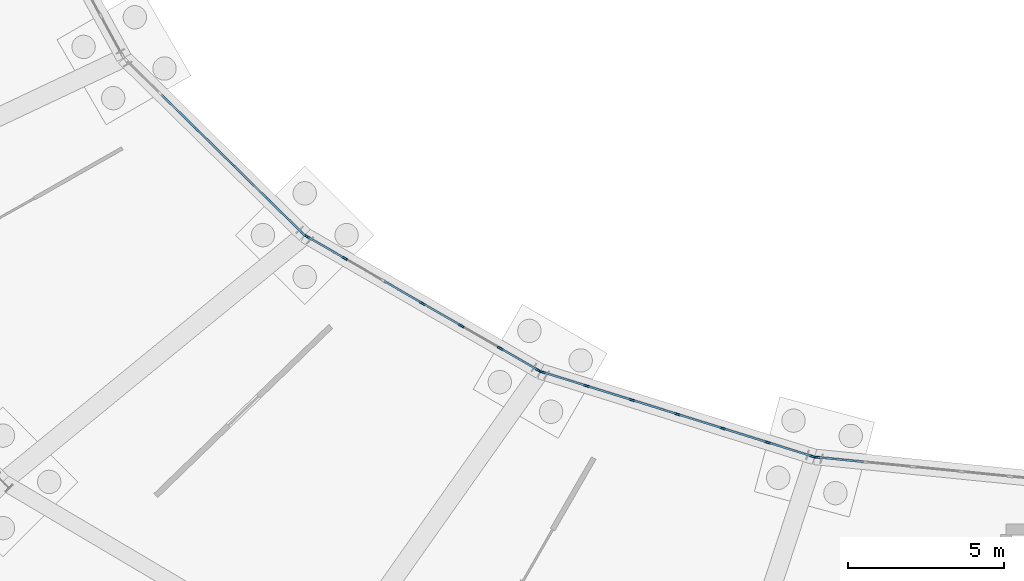
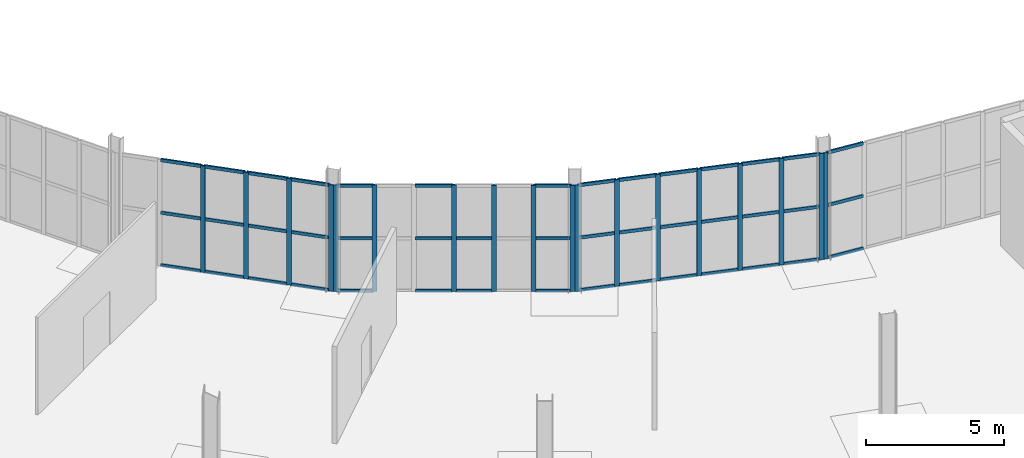
# One storey, part 56 of 118: 62 members, 4 elements without a shape of their own.
"""IFC4 building model written with IfcOpenShell, lengths in metres."""

from ifc_helpers import new_model, si_unit, direction, frame, origin, origin_2d, place, context, subcontext, project, spatial, rectangle, extrude, material, material_profile, profile_set, type_object, element, aggregate, save


model = new_model("IFC4")

# Units and contexts
model_context = context("Model", 3, precision=1e-05, world=origin(), true_north=direction((0.0, 1.0)))
body_context = subcontext(model_context, "Body", "Model", "MODEL_VIEW")
ifc_project = project(units=[si_unit("LENGTHUNIT", "METRE"), si_unit("AREAUNIT", "SQUARE_METRE"), si_unit("VOLUMEUNIT", "CUBIC_METRE"), si_unit("PLANEANGLEUNIT", "RADIAN"), si_unit("MASSUNIT", "GRAM", prefix="KILO")], contexts=[model_context])

# Site, building, storey
site_placement = place(None, origin())
site = spatial("IfcSite", under=ifc_project, at=site_placement, CompositionType="ELEMENT")
building_placement = place(site_placement, origin())
building = spatial("IfcBuilding", under=site, at=building_placement, Name="Kildeholm Park Wholesale Market", CompositionType="ELEMENT")
storey_placement = place(building_placement, origin())
storey = spatial("IfcBuildingStorey", under=building, at=storey_placement, Name="L00", CompositionType="ELEMENT", Elevation=0.0)

# Curtain wall, members
ifc_material_1 = material(Name="Anodised aluminium and low-E double-glazed glass", Category="aluminium")
curtain_wall_type = type_object("IfcCurtainWallType", Name="Market hall glazed arcade stick curtain wall CW-01", PredefinedType="NOTDEFINED", material=ifc_material_1)
curtain_wall_1_placement = place(storey_placement, origin())
curtain_wall_1 = element("IfcCurtainWall", 1, at=curtain_wall_1_placement, inside=storey, type_object=curtain_wall_type, Name="Curtain wall CW-V1-IN0-14 CW-0071", PredefinedType="NOTDEFINED")
ifc_material_2 = material(Name="Anodised aluminium", Category="aluminium")
ifc_material_profile_1 = material_profile(ifc_material_2, rectangle(XDim=0.06494140625, YDim=0.179931640625, at=origin_2d()), Name="CWM 65x180")
ifc_profile_set_1 = profile_set([ifc_material_profile_1], Name="Anodised aluminium")
member_type_1 = type_object("IfcMemberType", Name="Curtain-wall mullion CWM-1 CWM 65x180", PredefinedType="MULLION", material=ifc_profile_set_1)
member_1_placement = place(storey_placement, frame((69.711181640625, 73.46337890625, 0.0), z_axis=(0.0, 0.0, 1.0), x_axis=(0.700616534607, 0.713537995789, 0.0)))
member_1 = element("IfcMember", 2, at=member_1_placement, type_object=member_type_1, Name="CW-01 mullion 3 MEM-2314", PredefinedType="MULLION", context=body_context, shape_type="SweptSolid", body=[
    extrude(rectangle(XDim=0.06494140625, YDim=0.179931640625, at=origin_2d()), origin(), (0.0, 0.0, 1.0), 4.699951171875),
])
member_2_placement = place(storey_placement, frame((70.85986328125, 72.335693359375, 0.0), z_axis=(0.0, 0.0, 1.0), x_axis=(0.700616534607, 0.713537995789, 0.0)))
member_2 = element("IfcMember", 3, at=member_2_placement, type_object=member_type_1, Name="CW-01 mullion 4 MEM-2315", PredefinedType="MULLION", context=body_context, shape_type="SweptSolid", body=[
    extrude(rectangle(XDim=0.06494140625, YDim=0.179931640625, at=origin_2d()), origin(), (0.0, 0.0, 1.0), 4.699951171875),
])
member_3_placement = place(storey_placement, frame((72.00830078125, 71.207763671875, 0.0), z_axis=(0.0, 0.0, 1.0), x_axis=(0.700616534607, 0.713537995789, 0.0)))
member_3 = element("IfcMember", 4, at=member_3_placement, type_object=member_type_1, Name="CW-01 mullion 5 MEM-2316", PredefinedType="MULLION", context=body_context, shape_type="SweptSolid", body=[
    extrude(rectangle(XDim=0.06494140625, YDim=0.179931640625, at=origin_2d()), origin(), (0.0, 0.0, 1.0), 4.699951171875),
])
member_4_placement = place(storey_placement, frame((73.1337890625, 70.102783203125, 0.0), z_axis=(0.0, 0.0, 1.0), x_axis=(0.700616534607, 0.713537995789, 0.0)))
member_4 = element("IfcMember", 5, at=member_4_placement, type_object=member_type_1, Name="CW-01 mullion 6 MEM-2317", PredefinedType="MULLION", context=body_context, shape_type="SweptSolid", body=[
    extrude(rectangle(XDim=0.06494140625, YDim=0.179931640625, at=origin_2d()), origin(), (0.0, 0.0, 1.0), 4.699951171875),
])

curtain_wall_2_placement = place(storey_placement, origin())
curtain_wall_2 = element("IfcCurtainWall", 6, at=curtain_wall_2_placement, inside=storey, type_object=curtain_wall_type, Name="Curtain wall CW-V1-IN0-15 CW-0076", PredefinedType="NOTDEFINED")
member_5_placement = place(storey_placement, frame((73.250244140625, 70.0146484375, 0.0), z_axis=(0.0, 0.0, 1.0), x_axis=(0.500489412982, 0.865742656621, 0.0)))
member_5 = element("IfcMember", 7, at=member_5_placement, type_object=member_type_1, Name="CW-01 mullion 1 MEM-2445", PredefinedType="MULLION", context=body_context, shape_type="SweptSolid", body=[
    extrude(rectangle(XDim=0.06494140625, YDim=0.179931640625, at=origin_2d()), origin(), (0.0, 0.0, 1.0), 4.699951171875),
])
member_6_placement = place(storey_placement, frame((74.47021484375, 69.309326171875, 0.0), z_axis=(0.0, 0.0, 1.0), x_axis=(0.500489412982, 0.865742656621, 0.0)))
member_6 = element("IfcMember", 8, at=member_6_placement, type_object=member_type_1, Name="CW-01 mullion 2 MEM-2446", PredefinedType="MULLION", context=body_context, shape_type="SweptSolid", body=[
    extrude(rectangle(XDim=0.06494140625, YDim=0.179931640625, at=origin_2d()), origin(), (0.0, 0.0, 1.0), 4.699951171875),
])
member_7_placement = place(storey_placement, frame((76.967041015625, 67.865966796875, 0.0), z_axis=(0.0, 0.0, 1.0), x_axis=(0.500489412982, 0.865742656621, 0.0)))
member_7 = element("IfcMember", 9, at=member_7_placement, type_object=member_type_1, Name="CW-01 mullion 4 MEM-2448", PredefinedType="MULLION", context=body_context, shape_type="SweptSolid", body=[
    extrude(rectangle(XDim=0.06494140625, YDim=0.179931640625, at=origin_2d()), origin(), (0.0, 0.0, 1.0), 4.699951171875),
])
member_8_placement = place(storey_placement, frame((78.21533203125, 67.144287109375, 0.0), z_axis=(0.0, 0.0, 1.0), x_axis=(0.500489412982, 0.865742656621, 0.0)))
member_8 = element("IfcMember", 10, at=member_8_placement, type_object=member_type_1, Name="CW-01 mullion 5 MEM-2449", PredefinedType="MULLION", context=body_context, shape_type="SweptSolid", body=[
    extrude(rectangle(XDim=0.06494140625, YDim=0.179931640625, at=origin_2d()), origin(), (0.0, 0.0, 1.0), 4.699951171875),
])
member_9_placement = place(storey_placement, frame((79.463623046875, 66.422607421875, 0.0), z_axis=(0.0, 0.0, 1.0), x_axis=(0.500489412982, 0.865742656621, 0.0)))
member_9 = element("IfcMember", 11, at=member_9_placement, type_object=member_type_1, Name="CW-01 mullion 6 MEM-2450", PredefinedType="MULLION", context=body_context, shape_type="SweptSolid", body=[
    extrude(rectangle(XDim=0.06494140625, YDim=0.179931640625, at=origin_2d()), origin(), (0.0, 0.0, 1.0), 4.699951171875),
])
member_10_placement = place(storey_placement, frame((80.683837890625, 65.71728515625, 0.0), z_axis=(0.0, 0.0, 1.0), x_axis=(0.500489412982, 0.865742656621, 0.0)))
member_10 = element("IfcMember", 12, at=member_10_placement, type_object=member_type_1, Name="CW-01 mullion 7 MEM-2451", PredefinedType="MULLION", context=body_context, shape_type="SweptSolid", body=[
    extrude(rectangle(XDim=0.06494140625, YDim=0.179931640625, at=origin_2d()), origin(), (0.0, 0.0, 1.0), 4.699951171875),
])

curtain_wall_3_placement = place(storey_placement, origin())
curtain_wall_3 = element("IfcCurtainWall", 13, at=curtain_wall_3_placement, inside=storey, type_object=curtain_wall_type, Name="Curtain wall CW-V1-IN0-16 CW-0081", PredefinedType="NOTDEFINED")
member_11_placement = place(storey_placement, frame((80.817138671875, 65.659423828125, 0.0), z_axis=(0.0, 0.0, 1.0), x_axis=(0.297957339818, 0.954579186683, 0.0)))
member_11 = element("IfcMember", 14, at=member_11_placement, type_object=member_type_1, Name="CW-01 mullion 1 MEM-2594", PredefinedType="MULLION", context=body_context, shape_type="SweptSolid", body=[
    extrude(rectangle(XDim=0.06494140625, YDim=0.179931640625, at=origin_2d()), origin(), (0.0, 0.0, 1.0), 4.699951171875),
])
member_12_placement = place(storey_placement, frame((82.240478515625, 65.215087890625, 0.0), z_axis=(0.0, 0.0, 1.0), x_axis=(0.297957339818, 0.954579186683, 0.0)))
member_12 = element("IfcMember", 15, at=member_12_placement, type_object=member_type_1, Name="CW-01 mullion 2 MEM-2595", PredefinedType="MULLION", context=body_context, shape_type="SweptSolid", body=[
    extrude(rectangle(XDim=0.06494140625, YDim=0.179931640625, at=origin_2d()), origin(), (0.0, 0.0, 1.0), 4.699951171875),
])
member_13_placement = place(storey_placement, frame((83.695068359375, 64.760986328125, 0.0), z_axis=(0.0, 0.0, 1.0), x_axis=(0.297957339818, 0.954579186683, 0.0)))
member_13 = element("IfcMember", 16, at=member_13_placement, type_object=member_type_1, Name="CW-01 mullion 3 MEM-2596", PredefinedType="MULLION", context=body_context, shape_type="SweptSolid", body=[
    extrude(rectangle(XDim=0.06494140625, YDim=0.179931640625, at=origin_2d()), origin(), (0.0, 0.0, 1.0), 4.699951171875),
])
member_14_placement = place(storey_placement, frame((85.1494140625, 64.306884765625, 0.0), z_axis=(0.0, 0.0, 1.0), x_axis=(0.297957339818, 0.954579186683, 0.0)))
member_14 = element("IfcMember", 17, at=member_14_placement, type_object=member_type_1, Name="CW-01 mullion 4 MEM-2597", PredefinedType="MULLION", context=body_context, shape_type="SweptSolid", body=[
    extrude(rectangle(XDim=0.06494140625, YDim=0.179931640625, at=origin_2d()), origin(), (0.0, 0.0, 1.0), 4.699951171875),
])
member_15_placement = place(storey_placement, frame((86.60400390625, 63.85302734375, 0.0), z_axis=(0.0, 0.0, 1.0), x_axis=(0.297957339818, 0.954579186683, 0.0)))
member_15 = element("IfcMember", 18, at=member_15_placement, type_object=member_type_1, Name="CW-01 mullion 5 MEM-2598", PredefinedType="MULLION", context=body_context, shape_type="SweptSolid", body=[
    extrude(rectangle(XDim=0.06494140625, YDim=0.179931640625, at=origin_2d()), origin(), (0.0, 0.0, 1.0), 4.699951171875),
])
member_16_placement = place(storey_placement, frame((88.05859375, 63.39892578125, 0.0), z_axis=(0.0, 0.0, 1.0), x_axis=(0.297957339818, 0.954579186683, 0.0)))
member_16 = element("IfcMember", 19, at=member_16_placement, type_object=member_type_1, Name="CW-01 mullion 6 MEM-2599", PredefinedType="MULLION", context=body_context, shape_type="SweptSolid", body=[
    extrude(rectangle(XDim=0.06494140625, YDim=0.179931640625, at=origin_2d()), origin(), (0.0, 0.0, 1.0), 4.699951171875),
])
member_17_placement = place(storey_placement, frame((89.48193359375, 62.95458984375, 0.0), z_axis=(0.0, 0.0, 1.0), x_axis=(0.297957339818, 0.954579186683, 0.0)))
member_17 = element("IfcMember", 20, at=member_17_placement, type_object=member_type_1, Name="CW-01 mullion 7 MEM-2600", PredefinedType="MULLION", context=body_context, shape_type="SweptSolid", body=[
    extrude(rectangle(XDim=0.06494140625, YDim=0.179931640625, at=origin_2d()), origin(), (0.0, 0.0, 1.0), 4.699951171875),
])

# Curtain wall, member
curtain_wall_4_placement = place(storey_placement, origin())
curtain_wall_4 = element("IfcCurtainWall", 21, at=curtain_wall_4_placement, inside=storey, type_object=curtain_wall_type, Name="Curtain wall CW-V1-IN0-17 CW-0086", PredefinedType="NOTDEFINED")
member_18_placement = place(storey_placement, frame((89.624267578125, 62.92578125, 0.0), z_axis=(0.0, 0.0, 1.0), x_axis=(0.098683331174, 0.995118887444, 0.0)))
member_18 = element("IfcMember", 22, at=member_18_placement, type_object=member_type_1, Name="CW-01 mullion 1 MEM-2747", PredefinedType="MULLION", context=body_context, shape_type="SweptSolid", body=[
    extrude(rectangle(XDim=0.06494140625, YDim=0.179931640625, at=origin_2d()), origin(), (0.0, 0.0, 1.0), 4.699951171875),
])

# Member
ifc_material_profile_2 = material_profile(ifc_material_2, rectangle(XDim=0.06494140625, YDim=0.139892578125, at=origin_2d()), Name="CWT 65x140")
ifc_profile_set_2 = profile_set([ifc_material_profile_2], Name="Anodised aluminium")
member_type_2 = type_object("IfcMemberType", Name="Curtain-wall transom CWT-1 CWT 65x140", PredefinedType="USERDEFINED", material=ifc_profile_set_2)
member_19_placement = place(storey_placement, frame((68.585693359375, 74.568359375, 0.032470703125), z_axis=(0.713556787842, -0.70059739546, 0.0), x_axis=(0.70059739546, 0.713556787842, 0.0)))
member_19 = element("IfcMember", 23, at=member_19_placement, type_object=member_type_2, Name="CW-01 transom 2.1 MEM-2321", ObjectType="TRANSOM", PredefinedType="USERDEFINED", context=body_context, shape_type="SweptSolid", body=[
    extrude(rectangle(XDim=0.06494140625, YDim=0.139892578125, at=origin_2d()), origin(), (0.0, 0.0, 1.0), 1.544677734375),
])

member_20_placement = place(storey_placement, frame((68.585693359375, 74.568359375, 2.35009765625), z_axis=(0.713556787842, -0.70059739546, 0.0), x_axis=(0.70059739546, 0.713556787842, 0.0)))
member_20 = element("IfcMember", 24, at=member_20_placement, type_object=member_type_2, Name="CW-01 transom 2.2 MEM-2322", ObjectType="TRANSOM", PredefinedType="USERDEFINED", context=body_context, shape_type="SweptSolid", body=[
    extrude(rectangle(XDim=0.06494140625, YDim=0.139892578125, at=origin_2d()), origin(), (0.0, 0.0, 1.0), 1.544677734375),
])

member_21_placement = place(storey_placement, frame((68.585693359375, 74.568359375, 4.66748046875), z_axis=(0.713556787842, -0.70059739546, 0.0), x_axis=(0.70059739546, 0.713556787842, 0.0)))
member_21 = element("IfcMember", 25, at=member_21_placement, type_object=member_type_2, Name="CW-01 transom 2.3 MEM-2323", ObjectType="TRANSOM", PredefinedType="USERDEFINED", context=body_context, shape_type="SweptSolid", body=[
    extrude(rectangle(XDim=0.06494140625, YDim=0.139892578125, at=origin_2d()), origin(), (0.0, 0.0, 1.0), 1.544677734375),
])

member_22_placement = place(storey_placement, frame((69.734375, 73.440673828125, 0.032470703125), z_axis=(0.713556787842, -0.70059739546, 0.0), x_axis=(0.70059739546, 0.713556787842, 0.0)))
member_22 = element("IfcMember", 26, at=member_22_placement, type_object=member_type_2, Name="CW-01 transom 3.1 MEM-2324", ObjectType="TRANSOM", PredefinedType="USERDEFINED", context=body_context, shape_type="SweptSolid", body=[
    extrude(rectangle(XDim=0.06494140625, YDim=0.139892578125, at=origin_2d()), origin(), (0.0, 0.0, 1.0), 1.544677734375),
])

member_23_placement = place(storey_placement, frame((69.734375, 73.440673828125, 2.35009765625), z_axis=(0.713556787842, -0.70059739546, 0.0), x_axis=(0.70059739546, 0.713556787842, 0.0)))
member_23 = element("IfcMember", 27, at=member_23_placement, type_object=member_type_2, Name="CW-01 transom 3.2 MEM-2325", ObjectType="TRANSOM", PredefinedType="USERDEFINED", context=body_context, shape_type="SweptSolid", body=[
    extrude(rectangle(XDim=0.06494140625, YDim=0.139892578125, at=origin_2d()), origin(), (0.0, 0.0, 1.0), 1.544677734375),
])

member_24_placement = place(storey_placement, frame((69.734375, 73.440673828125, 4.66748046875), z_axis=(0.713556787842, -0.70059739546, 0.0), x_axis=(0.70059739546, 0.713556787842, 0.0)))
member_24 = element("IfcMember", 28, at=member_24_placement, type_object=member_type_2, Name="CW-01 transom 3.3 MEM-2326", ObjectType="TRANSOM", PredefinedType="USERDEFINED", context=body_context, shape_type="SweptSolid", body=[
    extrude(rectangle(XDim=0.06494140625, YDim=0.139892578125, at=origin_2d()), origin(), (0.0, 0.0, 1.0), 1.544677734375),
])

member_25_placement = place(storey_placement, frame((70.883056640625, 72.312744140625, 0.032470703125), z_axis=(0.713479202212, -0.700676407489, 0.0), x_axis=(0.700676407489, 0.713479202212, 0.0)))
member_25 = element("IfcMember", 29, at=member_25_placement, type_object=member_type_2, Name="CW-01 transom 4.1 MEM-2327", ObjectType="TRANSOM", PredefinedType="USERDEFINED", context=body_context, shape_type="SweptSolid", body=[
    extrude(rectangle(XDim=0.06494140625, YDim=0.139892578125, at=origin_2d()), origin(), (0.0, 0.0, 1.0), 1.544677734375),
])

member_26_placement = place(storey_placement, frame((70.883056640625, 72.312744140625, 2.35009765625), z_axis=(0.713479202212, -0.700676407489, 0.0), x_axis=(0.700676407489, 0.713479202212, 0.0)))
member_26 = element("IfcMember", 30, at=member_26_placement, type_object=member_type_2, Name="CW-01 transom 4.2 MEM-2328", ObjectType="TRANSOM", PredefinedType="USERDEFINED", context=body_context, shape_type="SweptSolid", body=[
    extrude(rectangle(XDim=0.06494140625, YDim=0.139892578125, at=origin_2d()), origin(), (0.0, 0.0, 1.0), 1.544677734375),
])

member_27_placement = place(storey_placement, frame((70.883056640625, 72.312744140625, 4.66748046875), z_axis=(0.713479202212, -0.700676407489, 0.0), x_axis=(0.700676407489, 0.713479202212, 0.0)))
member_27 = element("IfcMember", 31, at=member_27_placement, type_object=member_type_2, Name="CW-01 transom 4.3 MEM-2329", ObjectType="TRANSOM", PredefinedType="USERDEFINED", context=body_context, shape_type="SweptSolid", body=[
    extrude(rectangle(XDim=0.06494140625, YDim=0.139892578125, at=origin_2d()), origin(), (0.0, 0.0, 1.0), 1.544677734375),
])

member_28_placement = place(storey_placement, frame((72.031494140625, 71.18505859375, 0.032470703125), z_axis=(0.713534623197, -0.700619969384, 0.0), x_axis=(0.700619969384, 0.713534623197, 0.0)))
member_28 = element("IfcMember", 32, at=member_28_placement, type_object=member_type_2, Name="CW-01 transom 5.1 MEM-2330", ObjectType="TRANSOM", PredefinedType="USERDEFINED", context=body_context, shape_type="SweptSolid", body=[
    extrude(rectangle(XDim=0.06494140625, YDim=0.139892578125, at=origin_2d()), origin(), (0.0, 0.0, 1.0), 1.512451171875),
])

member_29_placement = place(storey_placement, frame((72.031494140625, 71.18505859375, 2.35009765625), z_axis=(0.713534623197, -0.700619969384, 0.0), x_axis=(0.700619969384, 0.713534623197, 0.0)))
member_29 = element("IfcMember", 33, at=member_29_placement, type_object=member_type_2, Name="CW-01 transom 5.2 MEM-2331", ObjectType="TRANSOM", PredefinedType="USERDEFINED", context=body_context, shape_type="SweptSolid", body=[
    extrude(rectangle(XDim=0.06494140625, YDim=0.139892578125, at=origin_2d()), origin(), (0.0, 0.0, 1.0), 1.512451171875),
])

member_30_placement = place(storey_placement, frame((72.031494140625, 71.18505859375, 4.66748046875), z_axis=(0.713534623197, -0.700619969384, 0.0), x_axis=(0.700619969384, 0.713534623197, 0.0)))
member_30 = element("IfcMember", 34, at=member_30_placement, type_object=member_type_2, Name="CW-01 transom 5.3 MEM-2332", ObjectType="TRANSOM", PredefinedType="USERDEFINED", context=body_context, shape_type="SweptSolid", body=[
    extrude(rectangle(XDim=0.06494140625, YDim=0.139892578125, at=origin_2d()), origin(), (0.0, 0.0, 1.0), 1.512451171875),
])

aggregate(curtain_wall_1, [member_1, member_2, member_3, member_4, member_19, member_20, member_21, member_22, member_23, member_24, member_25, member_26, member_27, member_28, member_29, member_30])

member_31_placement = place(storey_placement, frame((73.2783203125, 69.99853515625, 0.032470703125), z_axis=(0.86572868327, -0.500513583195, 0.0), x_axis=(0.500513583195, 0.86572868327, 0.0)))
member_31 = element("IfcMember", 35, at=member_31_placement, type_object=member_type_2, Name="CW-01 transom 1.1 MEM-2452", ObjectType="TRANSOM", PredefinedType="USERDEFINED", context=body_context, shape_type="SweptSolid", body=[
    extrude(rectangle(XDim=0.06494140625, YDim=0.139892578125, at=origin_2d()), origin(), (0.0, 0.0, 1.0), 1.34423828125),
])

member_32_placement = place(storey_placement, frame((73.2783203125, 69.99853515625, 2.35009765625), z_axis=(0.86572868327, -0.500513583195, 0.0), x_axis=(0.500513583195, 0.86572868327, 0.0)))
member_32 = element("IfcMember", 36, at=member_32_placement, type_object=member_type_2, Name="CW-01 transom 1.2 MEM-2453", ObjectType="TRANSOM", PredefinedType="USERDEFINED", context=body_context, shape_type="SweptSolid", body=[
    extrude(rectangle(XDim=0.06494140625, YDim=0.139892578125, at=origin_2d()), origin(), (0.0, 0.0, 1.0), 1.34423828125),
])

member_33_placement = place(storey_placement, frame((73.2783203125, 69.99853515625, 4.66748046875), z_axis=(0.86572868327, -0.500513583195, 0.0), x_axis=(0.500513583195, 0.86572868327, 0.0)))
member_33 = element("IfcMember", 37, at=member_33_placement, type_object=member_type_2, Name="CW-01 transom 1.3 MEM-2454", ObjectType="TRANSOM", PredefinedType="USERDEFINED", context=body_context, shape_type="SweptSolid", body=[
    extrude(rectangle(XDim=0.06494140625, YDim=0.139892578125, at=origin_2d()), origin(), (0.0, 0.0, 1.0), 1.34423828125),
])

member_34_placement = place(storey_placement, frame((75.746826171875, 68.5712890625, 0.032470703125), z_axis=(0.865810450204, -0.50037212584, 0.0), x_axis=(0.50037212584, 0.865810450204, 0.0)))
member_34 = element("IfcMember", 38, at=member_34_placement, type_object=member_type_2, Name="CW-01 transom 3.1 MEM-2458", ObjectType="TRANSOM", PredefinedType="USERDEFINED", context=body_context, shape_type="SweptSolid", body=[
    extrude(rectangle(XDim=0.06494140625, YDim=0.139892578125, at=origin_2d()), origin(), (0.0, 0.0, 1.0), 1.376953125),
])

member_35_placement = place(storey_placement, frame((75.746826171875, 68.5712890625, 2.35009765625), z_axis=(0.865810450204, -0.50037212584, 0.0), x_axis=(0.50037212584, 0.865810450204, 0.0)))
member_35 = element("IfcMember", 39, at=member_35_placement, type_object=member_type_2, Name="CW-01 transom 3.2 MEM-2459", ObjectType="TRANSOM", PredefinedType="USERDEFINED", context=body_context, shape_type="SweptSolid", body=[
    extrude(rectangle(XDim=0.06494140625, YDim=0.139892578125, at=origin_2d()), origin(), (0.0, 0.0, 1.0), 1.376953125),
])

member_36_placement = place(storey_placement, frame((75.746826171875, 68.5712890625, 4.66748046875), z_axis=(0.865810450204, -0.50037212584, 0.0), x_axis=(0.50037212584, 0.865810450204, 0.0)))
member_36 = element("IfcMember", 40, at=member_36_placement, type_object=member_type_2, Name="CW-01 transom 3.3 MEM-2460", ObjectType="TRANSOM", PredefinedType="USERDEFINED", context=body_context, shape_type="SweptSolid", body=[
    extrude(rectangle(XDim=0.06494140625, YDim=0.139892578125, at=origin_2d()), origin(), (0.0, 0.0, 1.0), 1.376953125),
])

member_37_placement = place(storey_placement, frame((76.9951171875, 67.849853515625, 0.032470703125), z_axis=(0.865733630758, -0.500505025523, 0.0), x_axis=(0.500505025523, 0.865733630758, 0.0)))
member_37 = element("IfcMember", 41, at=member_37_placement, type_object=member_type_2, Name="CW-01 transom 4.1 MEM-2461", ObjectType="TRANSOM", PredefinedType="USERDEFINED", context=body_context, shape_type="SweptSolid", body=[
    extrude(rectangle(XDim=0.06494140625, YDim=0.139892578125, at=origin_2d()), origin(), (0.0, 0.0, 1.0), 1.376953125),
])

member_38_placement = place(storey_placement, frame((76.9951171875, 67.849853515625, 2.35009765625), z_axis=(0.865733630758, -0.500505025523, 0.0), x_axis=(0.500505025523, 0.865733630758, 0.0)))
member_38 = element("IfcMember", 42, at=member_38_placement, type_object=member_type_2, Name="CW-01 transom 4.2 MEM-2462", ObjectType="TRANSOM", PredefinedType="USERDEFINED", context=body_context, shape_type="SweptSolid", body=[
    extrude(rectangle(XDim=0.06494140625, YDim=0.139892578125, at=origin_2d()), origin(), (0.0, 0.0, 1.0), 1.376953125),
])

member_39_placement = place(storey_placement, frame((79.49169921875, 66.406494140625, 0.032470703125), z_axis=(0.865774168037, -0.50043490082, 0.0), x_axis=(0.50043490082, 0.865774168037, 0.0)))
member_39 = element("IfcMember", 43, at=member_39_placement, type_object=member_type_2, Name="CW-01 transom 6.1 MEM-2467", ObjectType="TRANSOM", PredefinedType="USERDEFINED", context=body_context, shape_type="SweptSolid", body=[
    extrude(rectangle(XDim=0.06494140625, YDim=0.139892578125, at=origin_2d()), origin(), (0.0, 0.0, 1.0), 1.344482421875),
])

member_40_placement = place(storey_placement, frame((79.49169921875, 66.406494140625, 2.35009765625), z_axis=(0.865774168037, -0.50043490082, 0.0), x_axis=(0.50043490082, 0.865774168037, 0.0)))
member_40 = element("IfcMember", 44, at=member_40_placement, type_object=member_type_2, Name="CW-01 transom 6.2 MEM-2468", ObjectType="TRANSOM", PredefinedType="USERDEFINED", context=body_context, shape_type="SweptSolid", body=[
    extrude(rectangle(XDim=0.06494140625, YDim=0.139892578125, at=origin_2d()), origin(), (0.0, 0.0, 1.0), 1.344482421875),
])

member_41_placement = place(storey_placement, frame((79.49169921875, 66.406494140625, 4.66748046875), z_axis=(0.865774168037, -0.50043490082, 0.0), x_axis=(0.50043490082, 0.865774168037, 0.0)))
member_41 = element("IfcMember", 45, at=member_41_placement, type_object=member_type_2, Name="CW-01 transom 6.3 MEM-2469", ObjectType="TRANSOM", PredefinedType="USERDEFINED", context=body_context, shape_type="SweptSolid", body=[
    extrude(rectangle(XDim=0.06494140625, YDim=0.139892578125, at=origin_2d()), origin(), (0.0, 0.0, 1.0), 1.344482421875),
])

aggregate(curtain_wall_2, [member_5, member_6, member_7, member_8, member_9, member_10, member_31, member_32, member_33, member_34, member_35, member_36, member_37, member_38, member_39, member_40, member_41])

member_42_placement = place(storey_placement, frame((80.84814453125, 65.649658203125, 0.032470703125), z_axis=(0.954553055234, -0.298041045402, 0.0), x_axis=(0.298041045402, 0.954553055234, 0.0)))
member_42 = element("IfcMember", 46, at=member_42_placement, type_object=member_type_2, Name="CW-01 transom 1.1 MEM-2601", ObjectType="TRANSOM", PredefinedType="USERDEFINED", context=body_context, shape_type="SweptSolid", body=[
    extrude(rectangle(XDim=0.06494140625, YDim=0.139892578125, at=origin_2d()), origin(), (0.0, 0.0, 1.0), 1.426025390625),
])

member_43_placement = place(storey_placement, frame((80.84814453125, 65.649658203125, 2.35009765625), z_axis=(0.954553055234, -0.298041045402, 0.0), x_axis=(0.298041045402, 0.954553055234, 0.0)))
member_43 = element("IfcMember", 47, at=member_43_placement, type_object=member_type_2, Name="CW-01 transom 1.2 MEM-2602", ObjectType="TRANSOM", PredefinedType="USERDEFINED", context=body_context, shape_type="SweptSolid", body=[
    extrude(rectangle(XDim=0.06494140625, YDim=0.139892578125, at=origin_2d()), origin(), (0.0, 0.0, 1.0), 1.426025390625),
])

member_44_placement = place(storey_placement, frame((80.84814453125, 65.649658203125, 4.66748046875), z_axis=(0.954553055234, -0.298041045402, 0.0), x_axis=(0.298041045402, 0.954553055234, 0.0)))
member_44 = element("IfcMember", 48, at=member_44_placement, type_object=member_type_2, Name="CW-01 transom 1.3 MEM-2603", ObjectType="TRANSOM", PredefinedType="USERDEFINED", context=body_context, shape_type="SweptSolid", body=[
    extrude(rectangle(XDim=0.06494140625, YDim=0.139892578125, at=origin_2d()), origin(), (0.0, 0.0, 1.0), 1.426025390625),
])

member_45_placement = place(storey_placement, frame((82.271484375, 65.205322265625, 0.032470703125), z_axis=(0.954599016566, -0.297893802505, 0.0), x_axis=(0.297893802505, 0.954599016566, 0.0)))
member_45 = element("IfcMember", 49, at=member_45_placement, type_object=member_type_2, Name="CW-01 transom 2.1 MEM-2604", ObjectType="TRANSOM", PredefinedType="USERDEFINED", context=body_context, shape_type="SweptSolid", body=[
    extrude(rectangle(XDim=0.06494140625, YDim=0.139892578125, at=origin_2d()), origin(), (0.0, 0.0, 1.0), 1.458740234375),
])

member_46_placement = place(storey_placement, frame((82.271484375, 65.205322265625, 2.35009765625), z_axis=(0.954599016566, -0.297893802505, 0.0), x_axis=(0.297893802505, 0.954599016566, 0.0)))
member_46 = element("IfcMember", 50, at=member_46_placement, type_object=member_type_2, Name="CW-01 transom 2.2 MEM-2605", ObjectType="TRANSOM", PredefinedType="USERDEFINED", context=body_context, shape_type="SweptSolid", body=[
    extrude(rectangle(XDim=0.06494140625, YDim=0.139892578125, at=origin_2d()), origin(), (0.0, 0.0, 1.0), 1.458740234375),
])

member_47_placement = place(storey_placement, frame((82.271484375, 65.205322265625, 4.66748046875), z_axis=(0.954599016566, -0.297893802505, 0.0), x_axis=(0.297893802505, 0.954599016566, 0.0)))
member_47 = element("IfcMember", 51, at=member_47_placement, type_object=member_type_2, Name="CW-01 transom 2.3 MEM-2606", ObjectType="TRANSOM", PredefinedType="USERDEFINED", context=body_context, shape_type="SweptSolid", body=[
    extrude(rectangle(XDim=0.06494140625, YDim=0.139892578125, at=origin_2d()), origin(), (0.0, 0.0, 1.0), 1.458740234375),
])

member_48_placement = place(storey_placement, frame((83.72607421875, 64.751220703125, 0.032470703125), z_axis=(0.954584161709, -0.297941400639, 0.0), x_axis=(0.297941400639, 0.954584161709, 0.0)))
member_48 = element("IfcMember", 52, at=member_48_placement, type_object=member_type_2, Name="CW-01 transom 3.1 MEM-2607", ObjectType="TRANSOM", PredefinedType="USERDEFINED", context=body_context, shape_type="SweptSolid", body=[
    extrude(rectangle(XDim=0.06494140625, YDim=0.139892578125, at=origin_2d()), origin(), (0.0, 0.0, 1.0), 1.45849609375),
])

member_49_placement = place(storey_placement, frame((83.72607421875, 64.751220703125, 2.35009765625), z_axis=(0.954584161709, -0.297941400639, 0.0), x_axis=(0.297941400639, 0.954584161709, 0.0)))
member_49 = element("IfcMember", 53, at=member_49_placement, type_object=member_type_2, Name="CW-01 transom 3.2 MEM-2608", ObjectType="TRANSOM", PredefinedType="USERDEFINED", context=body_context, shape_type="SweptSolid", body=[
    extrude(rectangle(XDim=0.06494140625, YDim=0.139892578125, at=origin_2d()), origin(), (0.0, 0.0, 1.0), 1.45849609375),
])

member_50_placement = place(storey_placement, frame((83.72607421875, 64.751220703125, 4.66748046875), z_axis=(0.954584161709, -0.297941400639, 0.0), x_axis=(0.297941400639, 0.954584161709, 0.0)))
member_50 = element("IfcMember", 54, at=member_50_placement, type_object=member_type_2, Name="CW-01 transom 3.3 MEM-2609", ObjectType="TRANSOM", PredefinedType="USERDEFINED", context=body_context, shape_type="SweptSolid", body=[
    extrude(rectangle(XDim=0.06494140625, YDim=0.139892578125, at=origin_2d()), origin(), (0.0, 0.0, 1.0), 1.45849609375),
])

member_51_placement = place(storey_placement, frame((85.180419921875, 64.29736328125, 0.032470703125), z_axis=(0.954599016566, -0.297893802505, 0.0), x_axis=(0.297893802505, 0.954599016566, 0.0)))
member_51 = element("IfcMember", 55, at=member_51_placement, type_object=member_type_2, Name="CW-01 transom 4.1 MEM-2610", ObjectType="TRANSOM", PredefinedType="USERDEFINED", context=body_context, shape_type="SweptSolid", body=[
    extrude(rectangle(XDim=0.06494140625, YDim=0.139892578125, at=origin_2d()), origin(), (0.0, 0.0, 1.0), 1.458740234375),
])

member_52_placement = place(storey_placement, frame((85.180419921875, 64.29736328125, 2.35009765625), z_axis=(0.954599016566, -0.297893802505, 0.0), x_axis=(0.297893802505, 0.954599016566, 0.0)))
member_52 = element("IfcMember", 56, at=member_52_placement, type_object=member_type_2, Name="CW-01 transom 4.2 MEM-2611", ObjectType="TRANSOM", PredefinedType="USERDEFINED", context=body_context, shape_type="SweptSolid", body=[
    extrude(rectangle(XDim=0.06494140625, YDim=0.139892578125, at=origin_2d()), origin(), (0.0, 0.0, 1.0), 1.458740234375),
])

member_53_placement = place(storey_placement, frame((85.180419921875, 64.29736328125, 4.66748046875), z_axis=(0.954599016566, -0.297893802505, 0.0), x_axis=(0.297893802505, 0.954599016566, 0.0)))
member_53 = element("IfcMember", 57, at=member_53_placement, type_object=member_type_2, Name="CW-01 transom 4.3 MEM-2612", ObjectType="TRANSOM", PredefinedType="USERDEFINED", context=body_context, shape_type="SweptSolid", body=[
    extrude(rectangle(XDim=0.06494140625, YDim=0.139892578125, at=origin_2d()), origin(), (0.0, 0.0, 1.0), 1.458740234375),
])

member_54_placement = place(storey_placement, frame((86.635009765625, 63.84326171875, 0.032470703125), z_axis=(0.954599016566, -0.297893802505, 0.0), x_axis=(0.297893802505, 0.954599016566, 0.0)))
member_54 = element("IfcMember", 58, at=member_54_placement, type_object=member_type_2, Name="CW-01 transom 5.1 MEM-2613", ObjectType="TRANSOM", PredefinedType="USERDEFINED", context=body_context, shape_type="SweptSolid", body=[
    extrude(rectangle(XDim=0.06494140625, YDim=0.139892578125, at=origin_2d()), origin(), (0.0, 0.0, 1.0), 1.458740234375),
])

member_55_placement = place(storey_placement, frame((86.635009765625, 63.84326171875, 2.35009765625), z_axis=(0.954599016566, -0.297893802505, 0.0), x_axis=(0.297893802505, 0.954599016566, 0.0)))
member_55 = element("IfcMember", 59, at=member_55_placement, type_object=member_type_2, Name="CW-01 transom 5.2 MEM-2614", ObjectType="TRANSOM", PredefinedType="USERDEFINED", context=body_context, shape_type="SweptSolid", body=[
    extrude(rectangle(XDim=0.06494140625, YDim=0.139892578125, at=origin_2d()), origin(), (0.0, 0.0, 1.0), 1.458740234375),
])

member_56_placement = place(storey_placement, frame((86.635009765625, 63.84326171875, 4.66748046875), z_axis=(0.954599016566, -0.297893802505, 0.0), x_axis=(0.297893802505, 0.954599016566, 0.0)))
member_56 = element("IfcMember", 60, at=member_56_placement, type_object=member_type_2, Name="CW-01 transom 5.3 MEM-2615", ObjectType="TRANSOM", PredefinedType="USERDEFINED", context=body_context, shape_type="SweptSolid", body=[
    extrude(rectangle(XDim=0.06494140625, YDim=0.139892578125, at=origin_2d()), origin(), (0.0, 0.0, 1.0), 1.458740234375),
])

member_57_placement = place(storey_placement, frame((88.089599609375, 63.389404296875, 0.032470703125), z_axis=(0.954553055234, -0.298041045402, 0.0), x_axis=(0.298041045402, 0.954553055234, 0.0)))
member_57 = element("IfcMember", 61, at=member_57_placement, type_object=member_type_2, Name="CW-01 transom 6.1 MEM-2616", ObjectType="TRANSOM", PredefinedType="USERDEFINED", context=body_context, shape_type="SweptSolid", body=[
    extrude(rectangle(XDim=0.06494140625, YDim=0.139892578125, at=origin_2d()), origin(), (0.0, 0.0, 1.0), 1.426025390625),
])

member_58_placement = place(storey_placement, frame((88.089599609375, 63.389404296875, 2.35009765625), z_axis=(0.954553055234, -0.298041045402, 0.0), x_axis=(0.298041045402, 0.954553055234, 0.0)))
member_58 = element("IfcMember", 62, at=member_58_placement, type_object=member_type_2, Name="CW-01 transom 6.2 MEM-2617", ObjectType="TRANSOM", PredefinedType="USERDEFINED", context=body_context, shape_type="SweptSolid", body=[
    extrude(rectangle(XDim=0.06494140625, YDim=0.139892578125, at=origin_2d()), origin(), (0.0, 0.0, 1.0), 1.426025390625),
])

member_59_placement = place(storey_placement, frame((88.089599609375, 63.389404296875, 4.66748046875), z_axis=(0.954553055234, -0.298041045402, 0.0), x_axis=(0.298041045402, 0.954553055234, 0.0)))
member_59 = element("IfcMember", 63, at=member_59_placement, type_object=member_type_2, Name="CW-01 transom 6.3 MEM-2618", ObjectType="TRANSOM", PredefinedType="USERDEFINED", context=body_context, shape_type="SweptSolid", body=[
    extrude(rectangle(XDim=0.06494140625, YDim=0.139892578125, at=origin_2d()), origin(), (0.0, 0.0, 1.0), 1.426025390625),
])

aggregate(curtain_wall_3, [member_11, member_12, member_13, member_14, member_15, member_16, member_17, member_42, member_43, member_44, member_45, member_46, member_47, member_48, member_49, member_50, member_51, member_52, member_53, member_54, member_55, member_56, member_57, member_58, member_59])

member_60_placement = place(storey_placement, frame((89.65673828125, 62.922607421875, 0.032470703125), z_axis=(0.995115725144, -0.098715214482, 0.0), x_axis=(0.098715214482, 0.995115725144, 0.0)))
member_60 = element("IfcMember", 64, at=member_60_placement, type_object=member_type_2, Name="CW-01 transom 1.1 MEM-2754", ObjectType="TRANSOM", PredefinedType="USERDEFINED", context=body_context, shape_type="SweptSolid", body=[
    extrude(rectangle(XDim=0.06494140625, YDim=0.139892578125, at=origin_2d()), origin(), (0.0, 0.0, 1.0), 1.471435546875),
])

member_61_placement = place(storey_placement, frame((89.65673828125, 62.922607421875, 2.35009765625), z_axis=(0.995115725144, -0.098715214482, 0.0), x_axis=(0.098715214482, 0.995115725144, 0.0)))
member_61 = element("IfcMember", 65, at=member_61_placement, type_object=member_type_2, Name="CW-01 transom 1.2 MEM-2755", ObjectType="TRANSOM", PredefinedType="USERDEFINED", context=body_context, shape_type="SweptSolid", body=[
    extrude(rectangle(XDim=0.06494140625, YDim=0.139892578125, at=origin_2d()), origin(), (0.0, 0.0, 1.0), 1.471435546875),
])

member_62_placement = place(storey_placement, frame((89.65673828125, 62.922607421875, 4.66748046875), z_axis=(0.995115725144, -0.098715214482, 0.0), x_axis=(0.098715214482, 0.995115725144, 0.0)))
member_62 = element("IfcMember", 66, at=member_62_placement, type_object=member_type_2, Name="CW-01 transom 1.3 MEM-2756", ObjectType="TRANSOM", PredefinedType="USERDEFINED", context=body_context, shape_type="SweptSolid", body=[
    extrude(rectangle(XDim=0.06494140625, YDim=0.139892578125, at=origin_2d()), origin(), (0.0, 0.0, 1.0), 1.471435546875),
])

aggregate(curtain_wall_4, [member_18, member_60, member_61, member_62])

save(model, "model.ifc")
